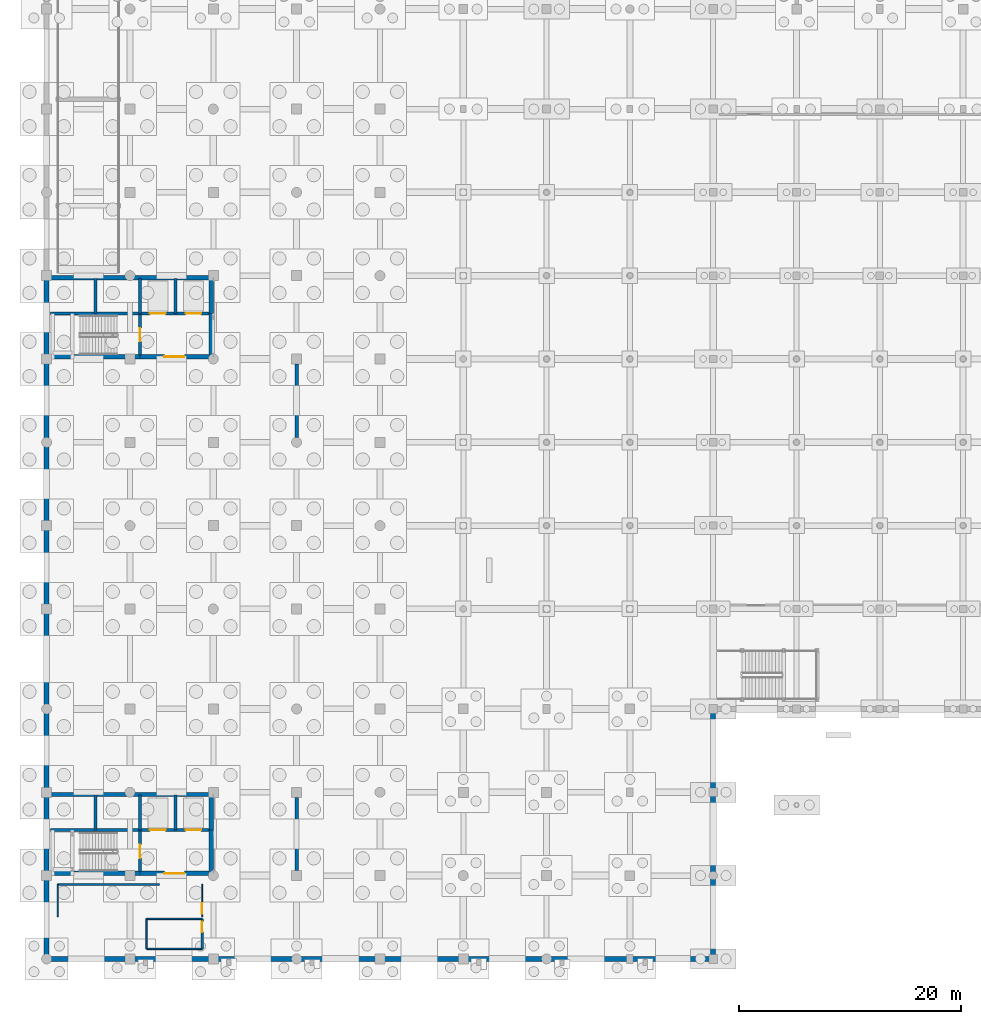
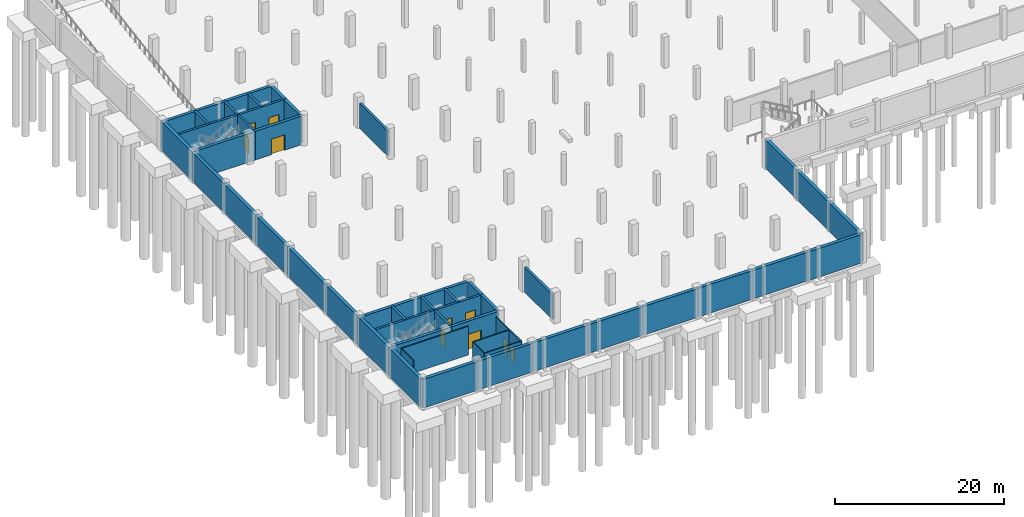
# One storey, part 26 of 42: 50 walls, 10 doors, 10 openings.
"""IFC4 building model written with IfcOpenShell, lengths in metres."""

from ifc_helpers import new_model, si_unit, direction, frame, frame_2d, origin, place, context, subcontext, project, spatial, rectangle, extrude, material, layer, layer_set, type_object, element, fill, save


model = new_model("IFC4")

# Units and contexts
model_context = context("Model", 3, precision=1e-05, world=origin(), true_north=direction((0.0, 1.0)))
body_context = subcontext(model_context, "Body", "Model", "MODEL_VIEW")
ifc_project = project(units=[si_unit("LENGTHUNIT", "METRE"), si_unit("AREAUNIT", "SQUARE_METRE"), si_unit("VOLUMEUNIT", "CUBIC_METRE"), si_unit("PLANEANGLEUNIT", "RADIAN"), si_unit("MASSUNIT", "GRAM", prefix="KILO")], contexts=[model_context])

# Site, building, storey
site_placement = place(None, origin())
site = spatial("IfcSite", under=ifc_project, at=site_placement, CompositionType="ELEMENT")
building_placement = place(site_placement, origin())
building = spatial("IfcBuilding", under=site, at=building_placement, Name="Dalvernix Boulevard General Hospital", CompositionType="ELEMENT")
storey_placement = place(building_placement, frame((0.0, 0.0, -4.5)))
storey = spatial("IfcBuildingStorey", under=building, at=storey_placement, Name="B1", CompositionType="ELEMENT", Elevation=-4.5)

# Wall
ifc_material_1 = material(Name="Concrete C40/50", Category="concrete")
ifc_layer_1 = layer(ifc_material_1, 0.39990234375)
ifc_layer_set_1 = layer_set([ifc_layer_1], Name="Concrete C40/50 (WAL-CSW-01)")
wall_type_1 = type_object("IfcWallType", Name="WAL-CSW-01", PredefinedType="SHEAR", material=ifc_layer_set_1)
wall_1_placement = place(storey_placement, frame((0.35009765625, 7.699951171875, 0.0), z_axis=(0.0, 0.0, 1.0), x_axis=(1.0, 0.0, 0.0)))
element("IfcWall", 1, at=wall_1_placement, inside=storey, type_object=wall_type_1, Name="B1 C1 south stairwell wall", PredefinedType="SHEAR", context=body_context, shape_type="SweptSolid", body=[
    extrude(rectangle(XDim=8.0498046875, YDim=0.39990234375, at=frame_2d((4.02490234375, 0.0))), origin(), (0.0, 0.0, 1.0), 4.139892578125),
])

# Wall, opening, door
wall_2_placement = place(storey_placement, frame((8.39990234375, 7.699951171875, 0.0), z_axis=(0.0, 0.0, 1.0), x_axis=(1.0, 0.0, 0.0)))
wall_2 = element("IfcWall", 2, at=wall_2_placement, inside=storey, type_object=wall_type_1, Name="B1 C1 south firefighting lobby wall", PredefinedType="SHEAR", context=body_context, shape_type="SweptSolid", body=[
    extrude(rectangle(XDim=6.25, YDim=0.39990234375, at=frame_2d((3.125, 0.0))), origin(), (0.0, 0.0, 1.0), 4.139892578125),
])
opening_1_placement = place(wall_2_placement, frame((2.199951171875, 0.0, 0.0)))
opening_1 = element("IfcOpeningElement", 3, at=opening_1_placement, cuts=wall_2, Name="Opening FD-01", PredefinedType="OPENING", context=body_context, shape_type="SweptSolid", body=[
    extrude(rectangle(XDim=1.800048828125, YDim=2.25, at=frame_2d((0.89990234375, 1.125))), frame((0.0, 0.2099609375, 0.0), z_axis=(0.0, -1.0, 0.0), x_axis=(1.0, 0.0, 0.0)), (0.0, 0.0, 1.0), 0.419921875),
])
ifc_material_2 = material(Name="Hospital laminate acoustic timber and steel frame", Category="steel")
door_type_1 = type_object("IfcDoorType", Name="DR-FD-01", OperationType="DOUBLE_DOOR_SINGLE_SWING", PredefinedType="DOOR", material=ifc_material_2)
door_1_placement = place(opening_1_placement, origin())
door_1 = element("IfcDoor", 4, at=door_1_placement, inside=storey, type_object=door_type_1, Name="B1 C1 firefighting lobby door", OperationType="DOUBLE_DOOR_SINGLE_SWING", OverallHeight=2.25, OverallWidth=1.800048828125, PredefinedType="DOOR", context=body_context, shape_type="SweptSolid", body=[
    extrude(rectangle(XDim=1.800048828125, YDim=2.25, at=frame_2d((0.89990234375, 1.125))), frame((0.0, 0.02490234375, 0.0), z_axis=(0.0, -1.0, 0.0), x_axis=(1.0, 0.0, 0.0)), (0.0, 0.0, 1.0), 0.050048828125),
])
fill(opening_1, door_1)

# Walls
wall_3_placement = place(storey_placement, frame((0.35009765625, 14.800048828125, 0.0), z_axis=(0.0, 0.0, 1.0), x_axis=(1.0, 0.0, 0.0)))
element("IfcWall", 5, at=wall_3_placement, inside=storey, type_object=wall_type_1, Name="B1 C1 north shaft core wall", PredefinedType="SHEAR", context=body_context, shape_type="SweptSolid", body=[
    extrude(rectangle(XDim=14.2998046875, YDim=0.39990234375, at=frame_2d((7.14990234375, 0.0))), origin(), (0.0, 0.0, 1.0), 4.139892578125),
])
wall_4_placement = place(storey_placement, frame((14.800048828125, 7.85009765625, 0.0), z_axis=(0.0, 0.0, 1.0), x_axis=(0.0, 1.0, 0.0)))
element("IfcWall", 6, at=wall_4_placement, inside=storey, type_object=wall_type_1, Name="B1 C1 east lobby core wall", PredefinedType="SHEAR", context=body_context, shape_type="SweptSolid", body=[
    extrude(rectangle(XDim=3.75, YDim=0.39990234375, at=frame_2d((1.875, 0.0))), origin(), (0.0, 0.0, 1.0), 4.139892578125),
])
wall_5_placement = place(storey_placement, frame((14.800048828125, 11.60009765625, 0.0), z_axis=(0.0, 0.0, 1.0), x_axis=(0.0, 1.0, 0.0)))
element("IfcWall", 7, at=wall_5_placement, inside=storey, type_object=wall_type_1, Name="B1 C1 east shaft core wall", PredefinedType="SHEAR", context=body_context, shape_type="SweptSolid", body=[
    extrude(rectangle(XDim=3.0498046875, YDim=0.39990234375, at=frame_2d((1.52490234375, 0.0))), origin(), (0.0, 0.0, 1.0), 4.139892578125),
])
wall_6_placement = place(storey_placement, frame((0.35009765625, 54.199951171875, 0.0), z_axis=(0.0, 0.0, 1.0), x_axis=(1.0, 0.0, 0.0)))
element("IfcWall", 8, at=wall_6_placement, inside=storey, type_object=wall_type_1, Name="B1 C2 south stairwell wall", PredefinedType="SHEAR", context=body_context, shape_type="SweptSolid", body=[
    extrude(rectangle(XDim=8.0498046875, YDim=0.39990234375, at=frame_2d((4.02490234375, 0.0))), origin(), (0.0, 0.0, 1.0), 4.139892578125),
])

# Wall, opening, door
wall_7_placement = place(storey_placement, frame((8.39990234375, 54.199951171875, 0.0), z_axis=(0.0, 0.0, 1.0), x_axis=(1.0, 0.0, 0.0)))
wall_7 = element("IfcWall", 9, at=wall_7_placement, inside=storey, type_object=wall_type_1, Name="B1 C2 south firefighting lobby wall", PredefinedType="SHEAR", context=body_context, shape_type="SweptSolid", body=[
    extrude(rectangle(XDim=6.25, YDim=0.39990234375, at=frame_2d((3.125, 0.0))), origin(), (0.0, 0.0, 1.0), 4.139892578125),
])
opening_2_placement = place(wall_7_placement, frame((2.199951171875, 0.0, 0.0)))
opening_2 = element("IfcOpeningElement", 10, at=opening_2_placement, cuts=wall_7, Name="Opening FD-01", PredefinedType="OPENING", context=body_context, shape_type="SweptSolid", body=[
    extrude(rectangle(XDim=1.800048828125, YDim=2.25, at=frame_2d((0.89990234375, 1.125))), frame((0.0, 0.2099609375, 0.0), z_axis=(0.0, -1.0, 0.0), x_axis=(1.0, 0.0, 0.0)), (0.0, 0.0, 1.0), 0.419921875),
])
door_2_placement = place(opening_2_placement, origin())
door_2 = element("IfcDoor", 11, at=door_2_placement, inside=storey, type_object=door_type_1, Name="B1 C2 firefighting lobby door", OperationType="DOUBLE_DOOR_SINGLE_SWING", OverallHeight=2.25, OverallWidth=1.800048828125, PredefinedType="DOOR", context=body_context, shape_type="SweptSolid", body=[
    extrude(rectangle(XDim=1.800048828125, YDim=2.25, at=frame_2d((0.89990234375, 1.125))), frame((0.0, 0.02490234375, 0.0), z_axis=(0.0, -1.0, 0.0), x_axis=(1.0, 0.0, 0.0)), (0.0, 0.0, 1.0), 0.050048828125),
])
fill(opening_2, door_2)

# Walls
wall_8_placement = place(storey_placement, frame((0.35009765625, 61.300048828125, 0.0), z_axis=(0.0, 0.0, 1.0), x_axis=(1.0, 0.0, 0.0)))
element("IfcWall", 12, at=wall_8_placement, inside=storey, type_object=wall_type_1, Name="B1 C2 north shaft core wall", PredefinedType="SHEAR", context=body_context, shape_type="SweptSolid", body=[
    extrude(rectangle(XDim=14.2998046875, YDim=0.39990234375, at=frame_2d((7.14990234375, 0.0))), origin(), (0.0, 0.0, 1.0), 4.139892578125),
])
wall_9_placement = place(storey_placement, frame((14.800048828125, 54.35009765625, 0.0), z_axis=(0.0, 0.0, 1.0), x_axis=(0.0, 1.0, 0.0)))
element("IfcWall", 13, at=wall_9_placement, inside=storey, type_object=wall_type_1, Name="B1 C2 east lobby core wall", PredefinedType="SHEAR", context=body_context, shape_type="SweptSolid", body=[
    extrude(rectangle(XDim=3.75, YDim=0.39990234375, at=frame_2d((1.875, 0.0))), origin(), (0.0, 0.0, 1.0), 4.139892578125),
])
wall_10_placement = place(storey_placement, frame((14.800048828125, 58.10009765625, 0.0), z_axis=(0.0, 0.0, 1.0), x_axis=(0.0, 1.0, 0.0)))
element("IfcWall", 14, at=wall_10_placement, inside=storey, type_object=wall_type_1, Name="B1 C2 east shaft core wall", PredefinedType="SHEAR", context=body_context, shape_type="SweptSolid", body=[
    extrude(rectangle(XDim=3.0498046875, YDim=0.39990234375, at=frame_2d((1.52490234375, 0.0))), origin(), (0.0, 0.0, 1.0), 4.139892578125),
])
ifc_layer_2 = layer(ifc_material_1, 0.300048828125)
ifc_layer_set_2 = layer_set([ifc_layer_2], Name="Concrete C40/50 (WAL-CSW-02)")
wall_type_2 = type_object("IfcWallType", Name="WAL-CSW-02", PredefinedType="SHEAR", material=ifc_layer_set_2)
wall_11_placement = place(storey_placement, frame((0.35009765625, 11.60009765625, 0.0), z_axis=(0.0, 0.0, 1.0), x_axis=(1.0, 0.0, 0.0)))
element("IfcWall", 15, at=wall_11_placement, inside=storey, type_object=wall_type_2, Name="B1 C1 riser spine wall", PredefinedType="SHEAR", context=body_context, shape_type="SweptSolid", body=[
    extrude(rectangle(XDim=8.0498046875, YDim=0.300048828125, at=frame_2d((4.02490234375, 0.0))), origin(), (0.0, 0.0, 1.0), 4.139892578125),
])

# Wall, openings, doors
wall_12_placement = place(storey_placement, frame((8.39990234375, 11.60009765625, 0.0), z_axis=(0.0, 0.0, 1.0), x_axis=(1.0, 0.0, 0.0)))
wall_12 = element("IfcWall", 16, at=wall_12_placement, inside=storey, type_object=wall_type_2, Name="B1 C1 lift shaft front wall", PredefinedType="SHEAR", context=body_context, shape_type="SweptSolid", body=[
    extrude(rectangle(XDim=6.25, YDim=0.300048828125, at=frame_2d((3.125, 0.0))), origin(), (0.0, 0.0, 1.0), 4.139892578125),
])
opening_3_placement = place(wall_12_placement, frame((0.89990234375, 0.0, 0.0)))
opening_3 = element("IfcOpeningElement", 17, at=opening_3_placement, cuts=wall_12, Name="Opening LD-FFL-01-B1", PredefinedType="OPENING", context=body_context, shape_type="SweptSolid", body=[
    extrude(rectangle(XDim=1.39990234375, YDim=2.25, at=frame_2d((0.699951171875, 1.125))), frame((0.0, 0.159912109375, 0.0), z_axis=(0.0, -1.0, 0.0), x_axis=(1.0, 0.0, 0.0)), (0.0, 0.0, 1.0), 0.320068359375),
])
opening_4_placement = place(wall_12_placement, frame((4.10009765625, 0.0, 0.0)))
opening_4 = element("IfcOpeningElement", 18, at=opening_4_placement, cuts=wall_12, Name="Opening LD-FFL-02-B1", PredefinedType="OPENING", context=body_context, shape_type="SweptSolid", body=[
    extrude(rectangle(XDim=1.39990234375, YDim=2.25, at=frame_2d((0.699951171875, 1.125))), frame((0.0, 0.159912109375, 0.0), z_axis=(0.0, -1.0, 0.0), x_axis=(1.0, 0.0, 0.0)), (0.0, 0.0, 1.0), 0.320068359375),
])
ifc_material_3 = material(Name="Stainless-clad steel", Category="steel")
door_type_2 = type_object("IfcDoorType", Name="DR-LD-01", OperationType="DOUBLE_DOOR_SLIDING", PredefinedType="DOOR", material=ifc_material_3)
door_3_placement = place(opening_3_placement, origin())
door_3 = element("IfcDoor", 19, at=door_3_placement, inside=storey, type_object=door_type_2, Name="B1 Lift FFL-01 sliding landing door", OperationType="DOUBLE_DOOR_SLIDING", OverallHeight=2.25, OverallWidth=1.39990234375, PredefinedType="DOOR", context=body_context, shape_type="SweptSolid", body=[
    extrude(rectangle(XDim=1.39990234375, YDim=2.25, at=frame_2d((0.699951171875, 1.125))), frame((0.0, 0.02490234375, 0.0), z_axis=(0.0, -1.0, 0.0), x_axis=(1.0, 0.0, 0.0)), (0.0, 0.0, 1.0), 0.050048828125),
])
fill(opening_3, door_3)
door_4_placement = place(opening_4_placement, origin())
door_4 = element("IfcDoor", 20, at=door_4_placement, inside=storey, type_object=door_type_2, Name="B1 Lift FFL-02 sliding landing door", OperationType="DOUBLE_DOOR_SLIDING", OverallHeight=2.25, OverallWidth=1.39990234375, PredefinedType="DOOR", context=body_context, shape_type="SweptSolid", body=[
    extrude(rectangle(XDim=1.39990234375, YDim=2.25, at=frame_2d((0.699951171875, 1.125))), frame((0.0, 0.02490234375, 0.0), z_axis=(0.0, -1.0, 0.0), x_axis=(1.0, 0.0, 0.0)), (0.0, 0.0, 1.0), 0.050048828125),
])
fill(opening_4, door_4)

# Wall, opening, door
wall_13_placement = place(storey_placement, frame((8.39990234375, 11.5, 0.0), z_axis=(0.0, 0.0, 1.0), x_axis=(0.0, -1.0, 0.0)))
wall_13 = element("IfcWall", 21, at=wall_13_placement, inside=storey, type_object=wall_type_2, Name="B1 C1 stairwell fire wall", PredefinedType="SHEAR", context=body_context, shape_type="SweptSolid", body=[
    extrude(rectangle(XDim=3.64990234375, YDim=0.300048828125, at=frame_2d((1.824951171875, 0.0))), origin(), (0.0, 0.0, 1.0), 4.139892578125),
])
opening_5_placement = place(wall_13_placement, frame((1.219970703125, 0.0, 0.0)))
opening_5 = element("IfcOpeningElement", 22, at=opening_5_placement, cuts=wall_13, Name="Opening FD-02", PredefinedType="OPENING", context=body_context, shape_type="SweptSolid", body=[
    extrude(rectangle(XDim=1.199951171875, YDim=2.25, at=frame_2d((0.60009765625, 1.125))), frame((0.0, 0.159912109375, 0.0), z_axis=(0.0, -1.0, 0.0), x_axis=(1.0, 0.0, 0.0)), (0.0, 0.0, 1.0), 0.320068359375),
])
door_type_3 = type_object("IfcDoorType", Name="DR-FD-02", OperationType="NOTDEFINED", PredefinedType="DOOR", material=ifc_material_2)
door_5_placement = place(opening_5_placement, origin())
door_5 = element("IfcDoor", 23, at=door_5_placement, inside=storey, type_object=door_type_3, Name="B1 Stair ST-01 fire door", OperationType="SINGLE_SWING_LEFT", OverallHeight=2.25, OverallWidth=1.199951171875, PredefinedType="DOOR", context=body_context, shape_type="SweptSolid", body=[
    extrude(rectangle(XDim=1.199951171875, YDim=2.25, at=frame_2d((0.60009765625, 1.125))), frame((0.0, 0.02490234375, 0.0), z_axis=(0.0, -1.0, 0.0), x_axis=(1.0, 0.0, 0.0)), (0.0, 0.0, 1.0), 0.050048828125),
])
fill(opening_5, door_5)

# Walls
for number, where, z_axis, x_axis, name in (
    (24, (4.39990234375, 11.60009765625, 0.0), (0.0, 0.0, 1.0), (0.0, 1.0, 0.0), "B1 C1 shaft divider R1"),
    (25, (8.39990234375, 11.60009765625, 0.0), (0.0, 0.0, 1.0), (0.0, 1.0, 0.0), "B1 C1 shaft divider R2"),
    (26, (11.60009765625, 11.60009765625, 0.0), (0.0, 0.0, 1.0), (0.0, 1.0, 0.0), "B1 C1 shaft divider L1"),
):
    element("IfcWall", number, at=place(storey_placement, frame(where, z_axis=z_axis, x_axis=x_axis)), inside=storey, type_object=wall_type_2, Name=name, PredefinedType="SHEAR", context=body_context, shape_type="SweptSolid", body=[
        extrude(rectangle(XDim=3.14990234375, YDim=0.300048828125, at=frame_2d((1.574951171875, 0.0))), origin(), (0.0, 0.0, 1.0), 4.139892578125),
    ])
wall_14_placement = place(storey_placement, frame((0.35009765625, 58.10009765625, 0.0), z_axis=(0.0, 0.0, 1.0), x_axis=(1.0, 0.0, 0.0)))
element("IfcWall", 27, at=wall_14_placement, inside=storey, type_object=wall_type_2, Name="B1 C2 riser spine wall", PredefinedType="SHEAR", context=body_context, shape_type="SweptSolid", body=[
    extrude(rectangle(XDim=8.0498046875, YDim=0.300048828125, at=frame_2d((4.02490234375, 0.0))), origin(), (0.0, 0.0, 1.0), 4.139892578125),
])

# Wall, openings, doors
wall_15_placement = place(storey_placement, frame((8.39990234375, 58.10009765625, 0.0), z_axis=(0.0, 0.0, 1.0), x_axis=(1.0, 0.0, 0.0)))
wall_15 = element("IfcWall", 28, at=wall_15_placement, inside=storey, type_object=wall_type_2, Name="B1 C2 lift shaft front wall", PredefinedType="SHEAR", context=body_context, shape_type="SweptSolid", body=[
    extrude(rectangle(XDim=6.25, YDim=0.300048828125, at=frame_2d((3.125, 0.0))), origin(), (0.0, 0.0, 1.0), 4.139892578125),
])
opening_6_placement = place(wall_15_placement, frame((0.89990234375, 0.0, 0.0)))
opening_6 = element("IfcOpeningElement", 29, at=opening_6_placement, cuts=wall_15, Name="Opening LD-FFL-03-B1", PredefinedType="OPENING", context=body_context, shape_type="SweptSolid", body=[
    extrude(rectangle(XDim=1.39990234375, YDim=2.25, at=frame_2d((0.699951171875, 1.125))), frame((0.0, 0.159912109375, 0.0), z_axis=(0.0, -1.0, 0.0), x_axis=(1.0, 0.0, 0.0)), (0.0, 0.0, 1.0), 0.320068359375),
])
opening_7_placement = place(wall_15_placement, frame((4.10009765625, 0.0, 0.0)))
opening_7 = element("IfcOpeningElement", 30, at=opening_7_placement, cuts=wall_15, Name="Opening LD-FFL-04-B1", PredefinedType="OPENING", context=body_context, shape_type="SweptSolid", body=[
    extrude(rectangle(XDim=1.39990234375, YDim=2.25, at=frame_2d((0.699951171875, 1.125))), frame((0.0, 0.159912109375, 0.0), z_axis=(0.0, -1.0, 0.0), x_axis=(1.0, 0.0, 0.0)), (0.0, 0.0, 1.0), 0.320068359375),
])
door_6_placement = place(opening_6_placement, origin())
door_6 = element("IfcDoor", 31, at=door_6_placement, inside=storey, type_object=door_type_2, Name="B1 Lift FFL-03 sliding landing door", OperationType="DOUBLE_DOOR_SLIDING", OverallHeight=2.25, OverallWidth=1.39990234375, PredefinedType="DOOR", context=body_context, shape_type="SweptSolid", body=[
    extrude(rectangle(XDim=1.39990234375, YDim=2.25, at=frame_2d((0.699951171875, 1.125))), frame((0.0, 0.02490234375, 0.0), z_axis=(0.0, -1.0, 0.0), x_axis=(1.0, 0.0, 0.0)), (0.0, 0.0, 1.0), 0.050048828125),
])
fill(opening_6, door_6)
door_7_placement = place(opening_7_placement, origin())
door_7 = element("IfcDoor", 32, at=door_7_placement, inside=storey, type_object=door_type_2, Name="B1 Lift FFL-04 sliding landing door", OperationType="DOUBLE_DOOR_SLIDING", OverallHeight=2.25, OverallWidth=1.39990234375, PredefinedType="DOOR", context=body_context, shape_type="SweptSolid", body=[
    extrude(rectangle(XDim=1.39990234375, YDim=2.25, at=frame_2d((0.699951171875, 1.125))), frame((0.0, 0.02490234375, 0.0), z_axis=(0.0, -1.0, 0.0), x_axis=(1.0, 0.0, 0.0)), (0.0, 0.0, 1.0), 0.050048828125),
])
fill(opening_7, door_7)

# Wall, opening, door
wall_16_placement = place(storey_placement, frame((8.39990234375, 58.0, 0.0), z_axis=(0.0, 0.0, 1.0), x_axis=(0.0, -1.0, 0.0)))
wall_16 = element("IfcWall", 33, at=wall_16_placement, inside=storey, type_object=wall_type_2, Name="B1 C2 stairwell fire wall", PredefinedType="SHEAR", context=body_context, shape_type="SweptSolid", body=[
    extrude(rectangle(XDim=3.64990234375, YDim=0.300048828125, at=frame_2d((1.824951171875, 0.0))), origin(), (0.0, 0.0, 1.0), 4.139892578125),
])
opening_8_placement = place(wall_16_placement, frame((1.219970703125, 0.0, 0.0)))
opening_8 = element("IfcOpeningElement", 34, at=opening_8_placement, cuts=wall_16, Name="Opening FD-02", PredefinedType="OPENING", context=body_context, shape_type="SweptSolid", body=[
    extrude(rectangle(XDim=1.199951171875, YDim=2.25, at=frame_2d((0.60009765625, 1.125))), frame((0.0, 0.159912109375, 0.0), z_axis=(0.0, -1.0, 0.0), x_axis=(1.0, 0.0, 0.0)), (0.0, 0.0, 1.0), 0.320068359375),
])
door_8_placement = place(opening_8_placement, origin())
door_8 = element("IfcDoor", 35, at=door_8_placement, inside=storey, type_object=door_type_3, Name="B1 Stair ST-02 fire door", OperationType="SINGLE_SWING_LEFT", OverallHeight=2.25, OverallWidth=1.199951171875, PredefinedType="DOOR", context=body_context, shape_type="SweptSolid", body=[
    extrude(rectangle(XDim=1.199951171875, YDim=2.25, at=frame_2d((0.60009765625, 1.125))), frame((0.0, 0.02490234375, 0.0), z_axis=(0.0, -1.0, 0.0), x_axis=(1.0, 0.0, 0.0)), (0.0, 0.0, 1.0), 0.050048828125),
])
fill(opening_8, door_8)

# Walls
for number, where, z_axis, x_axis, name in (
    (36, (4.39990234375, 58.10009765625, 0.0), (0.0, 0.0, 1.0), (0.0, 1.0, 0.0), "B1 C2 shaft divider R1"),
    (37, (8.39990234375, 58.10009765625, 0.0), (0.0, 0.0, 1.0), (0.0, 1.0, 0.0), "B1 C2 shaft divider R2"),
    (38, (11.60009765625, 58.10009765625, 0.0), (0.0, 0.0, 1.0), (0.0, 1.0, 0.0), "B1 C2 shaft divider L1"),
):
    element("IfcWall", number, at=place(storey_placement, frame(where, z_axis=z_axis, x_axis=x_axis)), inside=storey, type_object=wall_type_2, Name=name, PredefinedType="SHEAR", context=body_context, shape_type="SweptSolid", body=[
        extrude(rectangle(XDim=3.14990234375, YDim=0.300048828125, at=frame_2d((1.574951171875, 0.0))), origin(), (0.0, 0.0, 1.0), 4.139892578125),
    ])
ifc_layer_3 = layer(ifc_material_1, 0.320068359375)
ifc_layer_set_3 = layer_set([ifc_layer_3], Name="Concrete C40/50 (WAL-ESW-02)")
wall_type_3 = type_object("IfcWallType", Name="WAL-ESW-02", PredefinedType="SHEAR", material=ifc_layer_set_3)
for number, where, z_axis, x_axis, name in (
    (39, (22.5, 7.949951171875, 0.0), (0.0, 0.0, 1.0), (0.0, 1.0, 0.0), "B1 reinforced concrete shear wall 1"),
    (40, (22.5, 46.949951171875, 0.0), (0.0, 0.0, 1.0), (0.0, 1.0, 0.0), "B1 reinforced concrete shear wall 2"),
):
    element("IfcWall", number, at=place(storey_placement, frame(where, z_axis=z_axis, x_axis=x_axis)), inside=storey, type_object=wall_type_3, Name=name, PredefinedType="SHEAR", context=body_context, shape_type="SweptSolid", body=[
        extrude(rectangle(XDim=6.60009765625, YDim=0.320068359375, at=frame_2d((3.300048828125, 0.0))), origin(), (0.0, 0.0, 1.0), 3.590087890625),
    ])

# Wall, opening, door
ifc_material_4 = material(Name="Fire-compartment corridor masonry wall", Category="masonry")
ifc_layer_4 = layer(ifc_material_4, 0.199951171875)
ifc_layer_set_4 = layer_set([ifc_layer_4], Name="Fire-compartment corridor masonry wall (WAL-IW-02)")
wall_type_4 = type_object("IfcWallType", Name="WAL-IW-02", PredefinedType="STANDARD", material=ifc_layer_set_4)
wall_17_placement = place(storey_placement, frame((14.0, 0.89990234375, 0.0), z_axis=(0.0, 0.0, 1.0), x_axis=(0.0, 1.0, 0.0)))
wall_17 = element("IfcWall", 41, at=wall_17_placement, inside=storey, type_object=wall_type_4, Name="B1 Accessible Staff WC B1 corridor wall", PredefinedType="STANDARD", context=body_context, shape_type="SweptSolid", body=[
    extrude(rectangle(XDim=2.7001953125, YDim=0.199951171875, at=frame_2d((1.35009765625, 0.0))), origin(), (0.0, 0.0, 1.0), 4.125),
])
opening_9_placement = place(wall_17_placement, frame((1.5, 0.0, 0.0)))
opening_9 = element("IfcOpeningElement", 42, at=opening_9_placement, cuts=wall_17, Name="Opening ID-06", PredefinedType="OPENING", context=body_context, shape_type="SweptSolid", body=[
    extrude(rectangle(XDim=0.949951171875, YDim=2.14990234375, at=frame_2d((0.47509765625, 1.074951171875))), frame((0.0, 0.10986328125, 0.0), z_axis=(0.0, -1.0, 0.0), x_axis=(1.0, 0.0, 0.0)), (0.0, 0.0, 1.0), 0.219970703125),
])
door_type_4 = type_object("IfcDoorType", Name="DR-ID-06", OperationType="NOTDEFINED", PredefinedType="DOOR", material=ifc_material_2)
door_9_placement = place(opening_9_placement, origin())
door_9 = element("IfcDoor", 43, at=door_9_placement, inside=storey, type_object=door_type_4, Name="B1 Accessible Staff WC B1 door", OperationType="SINGLE_SWING_RIGHT", OverallHeight=2.14990234375, OverallWidth=0.949951171875, PredefinedType="DOOR", context=body_context, shape_type="SweptSolid", body=[
    extrude(rectangle(XDim=0.949951171875, YDim=2.14990234375, at=frame_2d((0.47509765625, 1.074951171875))), frame((0.0, 0.02490234375, 0.0), z_axis=(0.0, -1.0, 0.0), x_axis=(1.0, 0.0, 0.0)), (0.0, 0.0, 1.0), 0.050048828125),
])
fill(opening_9, door_9)

# Walls
ifc_material_5 = material(Name="Acoustic double-stud gypsum inpatient partition")
ifc_layer_5 = layer(ifc_material_5, 0.14990234375)
ifc_layer_set_5 = layer_set([ifc_layer_5], Name="Acoustic double-stud gypsum inpatient partition (WAL-IW-04)")
wall_type_5 = type_object("IfcWallType", Name="WAL-IW-04", PredefinedType="PARTITIONING", material=ifc_layer_set_5)
wall_18_placement = place(storey_placement, frame((9.0, 3.60009765625, 0.0), z_axis=(0.0, 0.0, 1.0), x_axis=(1.0, 0.0, 0.0)))
element("IfcWall", 44, at=wall_18_placement, inside=storey, type_object=wall_type_5, Name="B1 Accessible Staff WC B1 partition", PredefinedType="PARTITIONING", context=body_context, shape_type="SweptSolid", body=[
    extrude(rectangle(XDim=5.0, YDim=0.14990234375, at=frame_2d((2.5, 0.0))), origin(), (0.0, 0.0, 1.0), 4.125),
])
wall_19_placement = place(storey_placement, frame((1.0, 6.699951171875, 0.0), z_axis=(0.0, 0.0, 1.0), x_axis=(1.0, 0.0, 0.0)))
element("IfcWall", 45, at=wall_19_placement, inside=storey, type_object=wall_type_5, Name="B1 Staff Locker and Shower Room B1 partition", PredefinedType="PARTITIONING", context=body_context, shape_type="SweptSolid", body=[
    extrude(rectangle(XDim=9.14990234375, YDim=0.14990234375, at=frame_2d((4.574951171875, 0.0))), origin(), (0.0, 0.0, 1.0), 4.125),
])
ifc_material_6 = material(Name="Moisture-resistant en-suite bathroom partition")
ifc_layer_6 = layer(ifc_material_6, 0.1201171875)
ifc_layer_set_6 = layer_set([ifc_layer_6], Name="Moisture-resistant en-suite bathroom partition (WAL-IW-05)")
wall_type_6 = type_object("IfcWallType", Name="WAL-IW-05", PredefinedType="PARTITIONING", material=ifc_layer_set_6)
wall_20_placement = place(storey_placement, frame((9.0, 0.89990234375, 0.0), z_axis=(0.0, 0.0, 1.0), x_axis=(1.0, 0.0, 0.0)))
element("IfcWall", 46, at=wall_20_placement, inside=storey, type_object=wall_type_6, Name="B1 Accessible Staff WC B1 enclosure wall S", PredefinedType="PARTITIONING", context=body_context, shape_type="SweptSolid", body=[
    extrude(rectangle(XDim=5.0, YDim=0.1201171875, at=frame_2d((2.5, 0.0))), origin(), (0.0, 0.0, 1.0), 4.125),
])
wall_21_placement = place(storey_placement, frame((9.0, 0.89990234375, 0.0), z_axis=(0.0, 0.0, 1.0), x_axis=(0.0, 1.0, 0.0)))
element("IfcWall", 47, at=wall_21_placement, inside=storey, type_object=wall_type_6, Name="B1 Accessible Staff WC B1 enclosure wall W", PredefinedType="PARTITIONING", context=body_context, shape_type="SweptSolid", body=[
    extrude(rectangle(XDim=2.7001953125, YDim=0.1201171875, at=frame_2d((1.35009765625, 0.0))), origin(), (0.0, 0.0, 1.0), 4.125),
])
wall_22_placement = place(storey_placement, frame((1.0, 3.800048828125, 0.0), z_axis=(0.0, 0.0, 1.0), x_axis=(0.0, 1.0, 0.0)))
element("IfcWall", 48, at=wall_22_placement, inside=storey, type_object=wall_type_6, Name="B1 Staff Locker and Shower Room B1 enclosure wall W", PredefinedType="PARTITIONING", context=body_context, shape_type="SweptSolid", body=[
    extrude(rectangle(XDim=2.89990234375, YDim=0.1201171875, at=frame_2d((1.449951171875, 0.0))), origin(), (0.0, 0.0, 1.0), 4.125),
])

# Wall, opening, door
ifc_material_7 = material(Name="Fire-resisting clinical sub-partition")
ifc_layer_7 = layer(ifc_material_7, 0.10009765625)
ifc_layer_set_7 = layer_set([ifc_layer_7], Name="Fire-resisting clinical sub-partition (WAL-IW-06)")
wall_type_7 = type_object("IfcWallType", Name="WAL-IW-06", PredefinedType="PARTITIONING", material=ifc_layer_set_7)
wall_23_placement = place(storey_placement, frame((14.0, 3.800048828125, 0.0), z_axis=(0.0, 0.0, 1.0), x_axis=(0.0, 1.0, 0.0)))
wall_23 = element("IfcWall", 49, at=wall_23_placement, inside=storey, type_object=wall_type_7, Name="B1 Staff Locker and Shower Room B1 corridor wall", PredefinedType="PARTITIONING", context=body_context, shape_type="SweptSolid", body=[
    extrude(rectangle(XDim=2.89990234375, YDim=0.10009765625, at=frame_2d((1.449951171875, 0.0))), origin(), (0.0, 0.0, 1.0), 4.125),
])
opening_10_placement = place(wall_23_placement, frame((0.25, 0.0, 0.0)))
opening_10 = element("IfcOpeningElement", 50, at=opening_10_placement, cuts=wall_23, Name="Opening ID-06", PredefinedType="OPENING", context=body_context, shape_type="SweptSolid", body=[
    extrude(rectangle(XDim=0.949951171875, YDim=2.14990234375, at=frame_2d((0.47509765625, 1.074951171875))), frame((0.0, 0.06005859375, 0.0), z_axis=(0.0, -1.0, 0.0), x_axis=(1.0, 0.0, 0.0)), (0.0, 0.0, 1.0), 0.1201171875),
])
door_10_placement = place(opening_10_placement, origin())
door_10 = element("IfcDoor", 51, at=door_10_placement, inside=storey, type_object=door_type_4, Name="B1 Staff Locker and Shower Room B1 door", OperationType="SINGLE_SWING_LEFT", OverallHeight=2.14990234375, OverallWidth=0.949951171875, PredefinedType="DOOR", context=body_context, shape_type="SweptSolid", body=[
    extrude(rectangle(XDim=0.949951171875, YDim=2.14990234375, at=frame_2d((0.47509765625, 1.074951171875))), frame((0.0, 0.02490234375, 0.0), z_axis=(0.0, -1.0, 0.0), x_axis=(1.0, 0.0, 0.0)), (0.0, 0.0, 1.0), 0.050048828125),
])
fill(opening_10, door_10)

# Walls
ifc_layer_8 = layer(ifc_material_1, 0.449951171875)
ifc_layer_set_8 = layer_set([ifc_layer_8], Name="Concrete C40/50 (WAL-RET-01)")
wall_type_8 = type_object("IfcWallType", Name="WAL-RET-01", PredefinedType="SOLIDWALL", material=ifc_layer_set_8)
for number, where, z_axis, x_axis, name in (
    (52, (0.0, 39.0, 0.0), (0.0, 0.0, 1.0), (0.0, 1.0, 0.0), "B1 basement retaining wall 1"),
    (53, (0.0, 46.5, 0.0), (0.0, 0.0, 1.0), (0.0, 1.0, 0.0), "B1 basement retaining wall 2"),
    (54, (0.0, 54.0, 0.0), (0.0, 0.0, 1.0), (0.0, 1.0, 0.0), "B1 basement retaining wall 3"),
    (55, (60.0, 22.5, 0.0), (0.0, 0.0, 1.0), (0.0, -1.0, 0.0), "B1 basement retaining wall 67"),
    (56, (60.0, 15.0, 0.0), (0.0, 0.0, 1.0), (0.0, -1.0, 0.0), "B1 basement retaining wall 68"),
    (57, (60.0, 7.5, 0.0), (0.0, 0.0, 1.0), (0.0, -1.0, 0.0), "B1 basement retaining wall 69"),
    (58, (60.0, 0.0, 0.0), (0.0, 0.0, 1.0), (-1.0, 0.0, 0.0), "B1 basement retaining wall 70"),
    (59, (52.5, 0.0, 0.0), (0.0, 0.0, 1.0), (-1.0, 0.0, 0.0), "B1 basement retaining wall 71"),
    (60, (45.0, 0.0, 0.0), (0.0, 0.0, 1.0), (-1.0, 0.0, 0.0), "B1 basement retaining wall 72"),
    (61, (37.5, 0.0, 0.0), (0.0, 0.0, 1.0), (-1.0, 0.0, 0.0), "B1 basement retaining wall 73"),
    (62, (30.0, 0.0, 0.0), (0.0, 0.0, 1.0), (-1.0, 0.0, 0.0), "B1 basement retaining wall 74"),
    (63, (22.5, 0.0, 0.0), (0.0, 0.0, 1.0), (-1.0, 0.0, 0.0), "B1 basement retaining wall 75"),
    (64, (15.0, 0.0, 0.0), (0.0, 0.0, 1.0), (-1.0, 0.0, 0.0), "B1 basement retaining wall 76"),
    (65, (7.5, 0.0, 0.0), (0.0, 0.0, 1.0), (-1.0, 0.0, 0.0), "B1 basement retaining wall 77"),
    (66, (0.0, 0.0, 0.0), (0.0, 0.0, 1.0), (0.0, 1.0, 0.0), "B1 basement retaining wall 78"),
    (67, (0.0, 7.5, 0.0), (0.0, 0.0, 1.0), (0.0, 1.0, 0.0), "B1 basement retaining wall 79"),
    (68, (0.0, 15.0, 0.0), (0.0, 0.0, 1.0), (0.0, 1.0, 0.0), "B1 basement retaining wall 80"),
):
    element("IfcWall", number, at=place(storey_placement, frame(where, z_axis=z_axis, x_axis=x_axis)), inside=storey, type_object=wall_type_8, Name=name, PredefinedType="SOLIDWALL", context=body_context, shape_type="SweptSolid", body=[
        extrude(rectangle(XDim=7.5, YDim=0.449951171875, at=frame_2d((3.75, 0.0))), origin(), (0.0, 0.0, 1.0), 4.139892578125),
    ])
wall_24_placement = place(storey_placement, frame((0.0, 22.5, 0.0), z_axis=(0.0, 0.0, 1.0), x_axis=(0.0, 1.0, 0.0)))
element("IfcWall", 69, at=wall_24_placement, inside=storey, type_object=wall_type_8, Name="B1 basement retaining wall 81", PredefinedType="SOLIDWALL", context=body_context, shape_type="SweptSolid", body=[
    extrude(rectangle(XDim=9.0, YDim=0.449951171875, at=frame_2d((4.5, 0.0))), origin(), (0.0, 0.0, 1.0), 4.139892578125),
])
wall_25_placement = place(storey_placement, frame((0.0, 31.5, 0.0), z_axis=(0.0, 0.0, 1.0), x_axis=(0.0, 1.0, 0.0)))
element("IfcWall", 70, at=wall_25_placement, inside=storey, type_object=wall_type_8, Name="B1 basement retaining wall 82", PredefinedType="SOLIDWALL", context=body_context, shape_type="SweptSolid", body=[
    extrude(rectangle(XDim=7.5, YDim=0.449951171875, at=frame_2d((3.75, 0.0))), origin(), (0.0, 0.0, 1.0), 4.139892578125),
])

save(model, "model.ifc")
